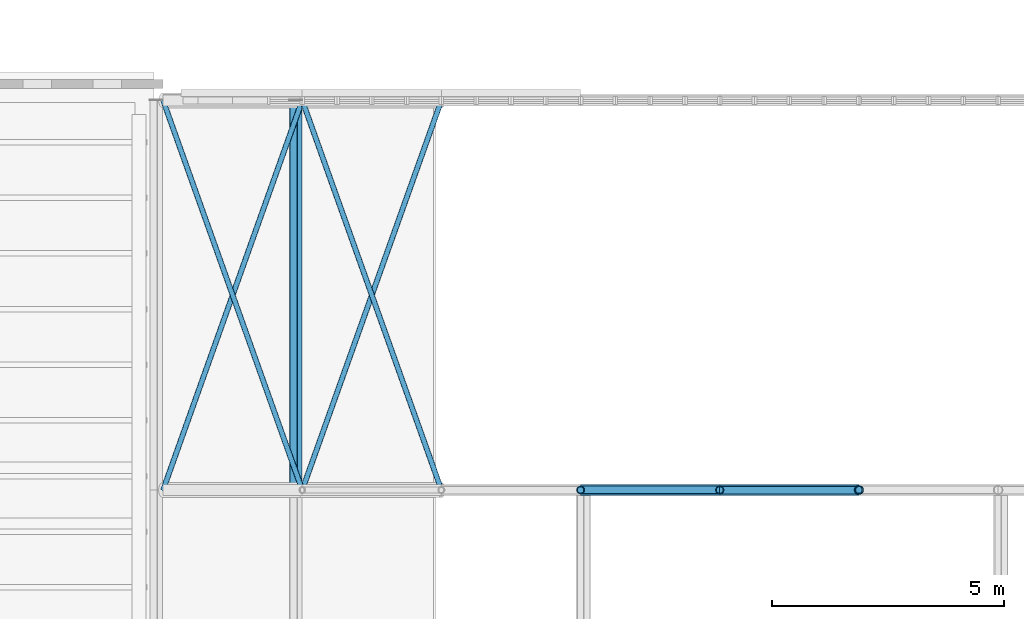
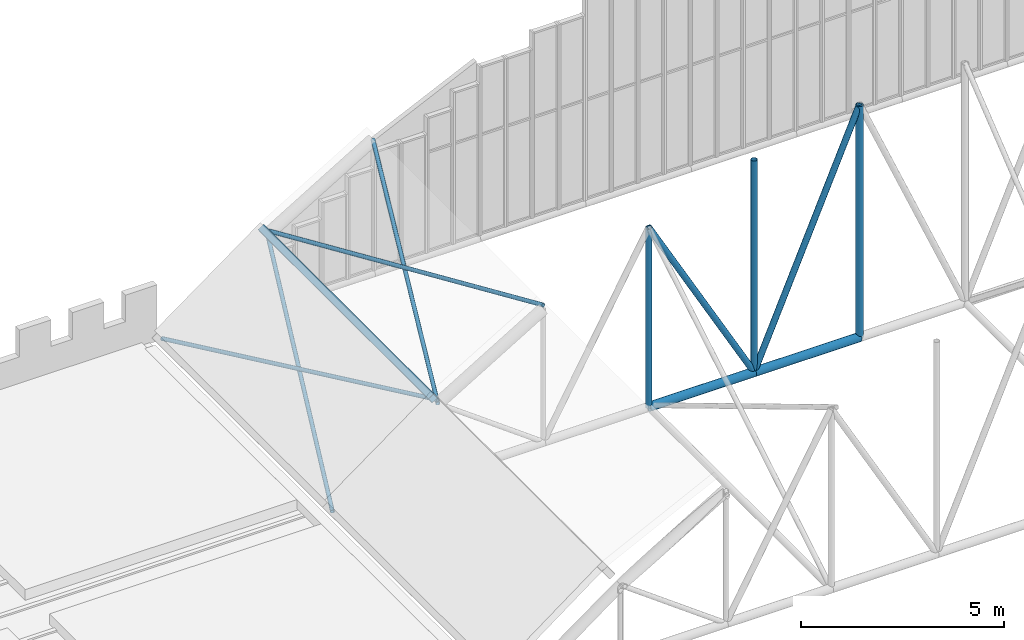
# One storey, part 71 of 153: 12 members.
"""IFC4 building model written with IfcOpenShell, lengths in metres."""

from ifc_helpers import new_model, si_unit, direction, frame, origin, origin_2d, place, context, subcontext, project, spatial, hollow_rectangle, hollow_circle, extrude, material, material_profile, profile_set, type_object, element, save


model = new_model("IFC4")

# Units and contexts
model_context = context("Model", 3, precision=1e-05, world=origin(), true_north=direction((0.0, 1.0)))
body_context = subcontext(model_context, "Body", "Model", "MODEL_VIEW")
ifc_project = project(units=[si_unit("LENGTHUNIT", "METRE"), si_unit("AREAUNIT", "SQUARE_METRE"), si_unit("VOLUMEUNIT", "CUBIC_METRE"), si_unit("PLANEANGLEUNIT", "RADIAN"), si_unit("MASSUNIT", "GRAM", prefix="KILO")], contexts=[model_context])

# Site, building, storey
site_placement = place(None, origin())
site = spatial("IfcSite", under=ifc_project, at=site_placement, CompositionType="ELEMENT")
building_placement = place(site_placement, origin())
building = spatial("IfcBuilding", under=site, at=building_placement, Name="Baradari Gate Terminus", CompositionType="ELEMENT")
storey_placement = place(building_placement, frame((0.0, 0.0, 11.699951171875)))
storey = spatial("IfcBuildingStorey", under=building, at=storey_placement, Name="L02", CompositionType="ELEMENT", Elevation=11.699951171875)

# Members
ifc_material_1 = material(Name="Steel S355", Category="steel")
ifc_material_profile_1 = material_profile(ifc_material_1, hollow_circle(Radius=0.084228515625, WallThickness=0.008056640625, at=origin_2d()), Name="CHS 168.3x8")
ifc_profile_set_1 = profile_set([ifc_material_profile_1], Name="Steel S355")
member_type_1 = type_object("IfcMemberType", Name="Hall vault diagonal CHS 168.3x8", PredefinedType="BRACE", material=ifc_profile_set_1)
member_1_placement = place(storey_placement, frame((144.0, 99.0, 5.522216796875), z_axis=(0.485649642493, 0.0, -0.87415354758), x_axis=(0.0, 1.0, 0.0)))
element("IfcMember", 1, at=member_1_placement, inside=storey, type_object=member_type_1, Name="TR/L02/VT3-DG03", PredefinedType="BRACE", context=body_context, shape_type="SweptSolid", body=[
    extrude(hollow_circle(Radius=0.084228515625, WallThickness=0.008056640625, at=origin_2d()), origin(), (0.0, 0.0, 1.0), 6.17724609375),
])
member_2_placement = place(storey_placement, frame((150.0, 99.0, 7.122314453125), z_axis=(-0.393919298579, 0.0, -0.919145030018), x_axis=(0.0, -1.0, 0.0)))
element("IfcMember", 2, at=member_2_placement, inside=storey, type_object=member_type_1, Name="TR/L02/VT3-DG04", PredefinedType="BRACE", context=body_context, shape_type="SweptSolid", body=[
    extrude(hollow_circle(Radius=0.084228515625, WallThickness=0.008056640625, at=origin_2d()), origin(), (0.0, 0.0, 1.0), 7.61572265625),
])
ifc_material_2 = material(Name="Steel S355", Category="steel")
ifc_material_profile_2 = material_profile(ifc_material_2, hollow_circle(Radius=0.084228515625, WallThickness=0.008056640625, at=origin_2d()), Name="CHS 168.3x8")
ifc_profile_set_2 = profile_set([ifc_material_profile_2], Name="Steel S355")
member_type_2 = type_object("IfcMemberType", Name="Hall vault post CHS 168.3x8", PredefinedType="POST", material=ifc_profile_set_2)
member_3_placement = place(storey_placement, frame((144.0, 99.0, 0.122314453125), z_axis=(0.0, 0.0, 1.0), x_axis=(1.0, 0.0, 0.0)))
element("IfcMember", 3, at=member_3_placement, inside=storey, type_object=member_type_2, Name="TR/L02/VT3-PS03", PredefinedType="POST", context=body_context, shape_type="SweptSolid", body=[
    extrude(hollow_circle(Radius=0.084228515625, WallThickness=0.008056640625, at=origin_2d()), origin(), (0.0, 0.0, 1.0), 5.39990234375),
])
member_4_placement = place(storey_placement, frame((147.0, 99.0, 0.122314453125), z_axis=(0.0, 0.0, 1.0), x_axis=(1.0, 0.0, 0.0)))
element("IfcMember", 4, at=member_4_placement, inside=storey, type_object=member_type_2, Name="TR/L02/VT3-PS04", PredefinedType="POST", context=body_context, shape_type="SweptSolid", body=[
    extrude(hollow_circle(Radius=0.084228515625, WallThickness=0.008056640625, at=origin_2d()), origin(), (0.0, 0.0, 1.0), 6.39990234375),
])
ifc_material_3 = material(Name="Steel S355", Category="steel")
ifc_material_profile_3 = material_profile(ifc_material_3, hollow_circle(Radius=0.096923828125, WallThickness=0.008056640625, at=origin_2d()), Name="CHS 193.7x8")
ifc_profile_set_3 = profile_set([ifc_material_profile_3], Name="Steel S355")
member_type_3 = type_object("IfcMemberType", Name="Hall vault post CHS 193.7x8", PredefinedType="POST", material=ifc_profile_set_3)
member_5_placement = place(storey_placement, frame((150.0, 99.0, 0.122314453125), z_axis=(0.0, 0.0, 1.0), x_axis=(1.0, 0.0, 0.0)))
element("IfcMember", 5, at=member_5_placement, inside=storey, type_object=member_type_3, Name="TR/L02/VT3-PS05", PredefinedType="POST", context=body_context, shape_type="SweptSolid", body=[
    extrude(hollow_circle(Radius=0.096923828125, WallThickness=0.008056640625, at=origin_2d()), origin(), (0.0, 0.0, 1.0), 7.0),
])
ifc_material_4 = material(Name="Steel S355", Category="steel")
ifc_material_profile_4 = material_profile(ifc_material_4, hollow_circle(Radius=0.122314453125, WallThickness=0.010009765625, at=origin_2d()), Name="CHS 244.5x10")
ifc_profile_set_4 = profile_set([ifc_material_profile_4], Name="Steel S355")
member_type_4 = type_object("IfcMemberType", Name="Hall vault tie CHS 244.5x10", PredefinedType="CHORD", material=ifc_profile_set_4)
for number, where, z_axis, x_axis, name in (
    (6, (144.0, 99.0, 0.122314453125), (1.0, 0.0, 0.0), (0.0, 1.0, 0.0), "TR/L02/VT3-BC03"),
    (7, (147.0, 99.0, 0.122314453125), (1.0, 0.0, 0.0), (0.0, 1.0, 0.0), "TR/L02/VT3-BC04"),
):
    element("IfcMember", number, at=place(storey_placement, frame(where, z_axis=z_axis, x_axis=x_axis)), inside=storey, type_object=member_type_4, Name=name, PredefinedType="CHORD", context=body_context, shape_type="SweptSolid", body=[
        extrude(hollow_circle(Radius=0.122314453125, WallThickness=0.010009765625, at=origin_2d()), origin(), (0.0, 0.0, 1.0), 3.0),
    ])
ifc_material_5 = material(Name="Steel S355", Category="steel")
ifc_material_profile_5 = material_profile(ifc_material_5, hollow_rectangle(XDim=0.199951171875, YDim=0.199951171875, WallThickness=0.008056640625, InnerFilletRadius=0.008056640625, OuterFilletRadius=0.01611328125, at=origin_2d()), Name="SHS 200x200x8")
ifc_profile_set_5 = profile_set([ifc_material_profile_5], Name="Steel S355")
member_type_5 = type_object("IfcMemberType", Name="Shed purlin SHS 200x200x8", PredefinedType="PURLIN", material=ifc_profile_set_5)
member_6_placement = place(storey_placement, frame((137.861572265625, 99.0, 2.530517578125), z_axis=(0.0, 1.0, 0.0), x_axis=(-0.832836263724, 0.0, -0.55351942859)))
element("IfcMember", 8, at=member_6_placement, inside=storey, type_object=member_type_5, Name="TR/L02/VP3-PU01", PredefinedType="PURLIN", context=body_context, shape_type="SweptSolid", body=[
    extrude(hollow_rectangle(XDim=0.199951171875, YDim=0.199951171875, WallThickness=0.008056640625, InnerFilletRadius=0.008056640625, OuterFilletRadius=0.01611328125, at=origin_2d()), origin(), (0.0, 0.0, 1.0), 8.39990234375),
])
ifc_material_6 = material(Name="Steel S355", Category="steel")
ifc_material_profile_6 = material_profile(ifc_material_6, hollow_circle(Radius=0.05712890625, WallThickness=0.00634765625, at=origin_2d()), Name="CHS 114.3x6.3")
ifc_profile_set_6 = profile_set([ifc_material_profile_6], Name="Steel S355")
member_type_6 = type_object("IfcMemberType", Name="Shed roof brace CHS 114.3x6.3", PredefinedType="BRACE", material=ifc_profile_set_6)
for number, where, z_axis, x_axis, name in (
    (9, (135.0, 99.0, 0.122314453125), (0.326553847652, 0.914340143417, 0.239467506607), (-0.941740673063, 0.336339864867, 0.0), "TR/L02/VPB3-RB00A"),
    (10, (138.0, 99.0, 2.4365234375), (-0.326553847652, 0.914340143417, -0.239467506607), (-0.941740673063, -0.336339864867, 0.0), "TR/L02/VPB3-RB00B"),
):
    element("IfcMember", number, at=place(storey_placement, frame(where, z_axis=z_axis, x_axis=x_axis)), inside=storey, type_object=member_type_6, Name=name, PredefinedType="BRACE", context=body_context, shape_type="SweptSolid", body=[
        extrude(hollow_circle(Radius=0.05712890625, WallThickness=0.00634765625, at=origin_2d()), origin(), (0.0, 0.0, 1.0), 9.186767578125),
    ])
for number, where, z_axis, x_axis, name in (
    (11, (138.0, 99.0, 2.322265625), (0.329693153045, 0.923130096328, 0.197821257927), (-0.941740673063, 0.336339864867, 0.0), "TR/L02/VPB3-RB01A"),
    (12, (141.0, 99.0, 4.236572265625), (-0.329693153045, 0.923130096328, -0.197821257927), (-0.941740673063, -0.336339864867, 0.0), "TR/L02/VPB3-RB01B"),
):
    element("IfcMember", number, at=place(storey_placement, frame(where, z_axis=z_axis, x_axis=x_axis)), inside=storey, type_object=member_type_6, Name=name, PredefinedType="BRACE", context=body_context, shape_type="SweptSolid", body=[
        extrude(hollow_circle(Radius=0.05712890625, WallThickness=0.00634765625, at=origin_2d()), origin(), (0.0, 0.0, 1.0), 9.099365234375),
    ])

save(model, "model.ifc")
